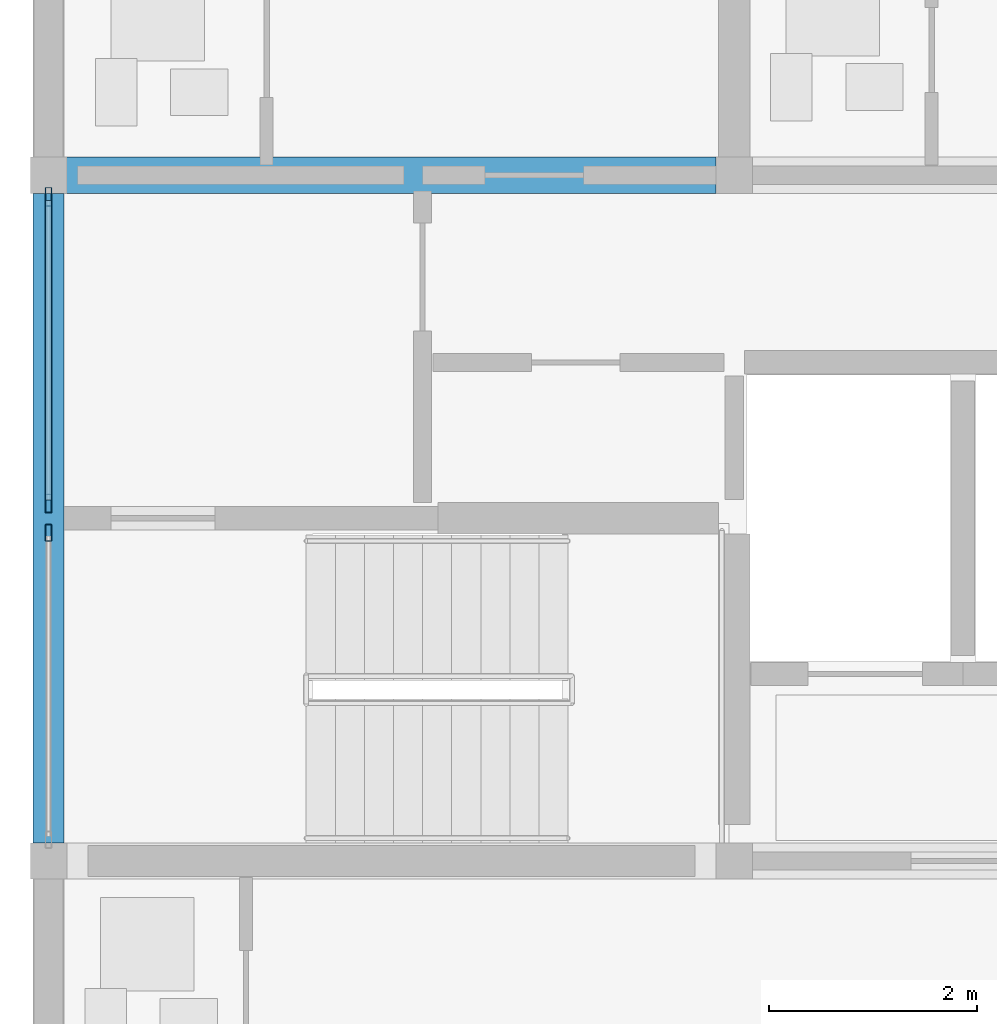
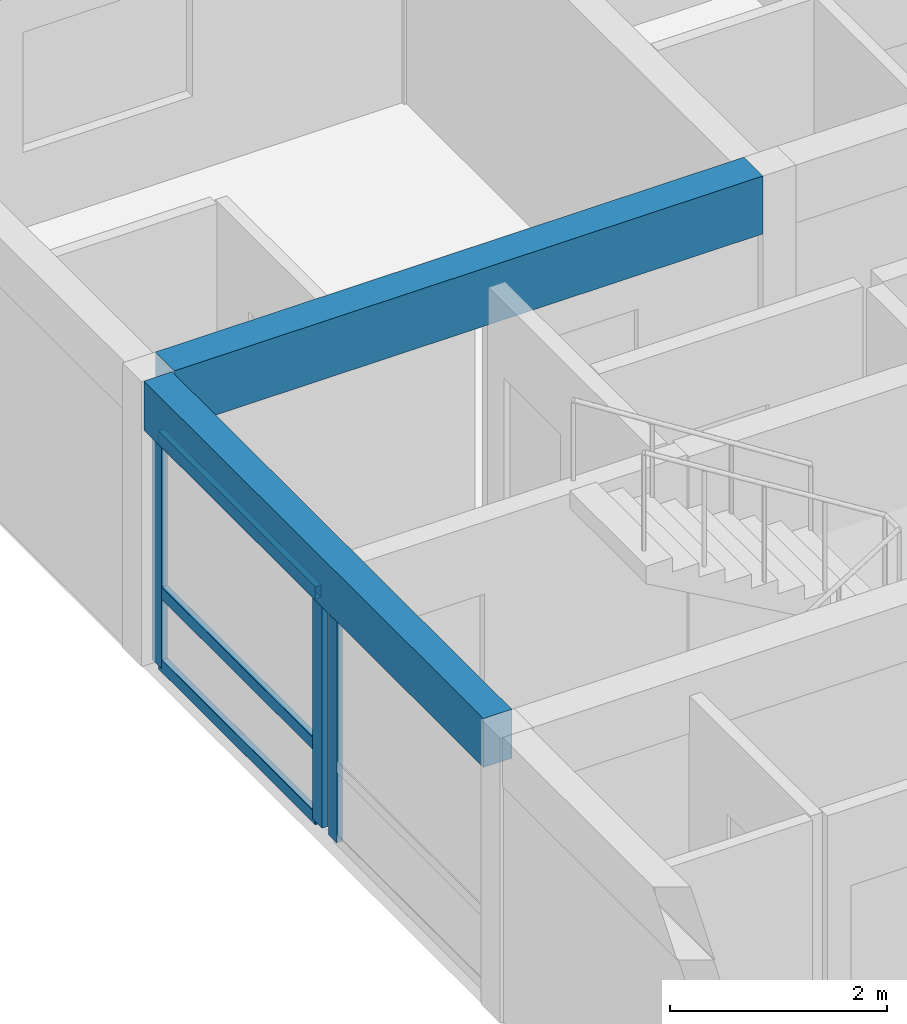
# One storey, part 6 of 46: 6 members, 2 beams, 2 elements without a shape of their own.
"""IFC4 building model written with IfcOpenShell, lengths in metres."""

from ifc_helpers import new_model, si_unit, direction, frame, origin, origin_2d, place, context, subcontext, project, spatial, rectangle, hollow_rectangle, extrude, material, material_profile, profile_set, type_object, element, aggregate, save


model = new_model("IFC4")

# Units and contexts
model_context = context("Model", 3, precision=1e-05, world=origin(), true_north=direction((0.0, 1.0)))
body_context = subcontext(model_context, "Body", "Model", "MODEL_VIEW")
ifc_project = project(units=[si_unit("LENGTHUNIT", "METRE"), si_unit("AREAUNIT", "SQUARE_METRE"), si_unit("VOLUMEUNIT", "CUBIC_METRE"), si_unit("PLANEANGLEUNIT", "RADIAN"), si_unit("MASSUNIT", "GRAM", prefix="KILO")], contexts=[model_context])

# Site, building, storey
site_placement = place(None, origin())
site = spatial("IfcSite", under=ifc_project, at=site_placement, CompositionType="ELEMENT")
building_placement = place(site_placement, origin())
building = spatial("IfcBuilding", under=site, at=building_placement, Name="Kernevlak Ridge Housing Community", CompositionType="ELEMENT")
storey_placement = place(building_placement, frame((0.0, 0.0, 27.60009765625)))
storey = spatial("IfcBuildingStorey", under=building, at=storey_placement, Name="L08", CompositionType="ELEMENT", Elevation=27.60009765625)

# Beam
ifc_material_1 = material(Name="Concrete C35/45", Category="concrete")
ifc_material_profile_1 = material_profile(ifc_material_1, rectangle(XDim=0.35009765625, YDim=0.64990234375, at=origin_2d()), Name="RC 350x650")
ifc_profile_set_1 = profile_set([ifc_material_profile_1], Name="Concrete C35/45")
beam_type_1 = type_object("IfcBeamType", Name="B-02", PredefinedType="BEAM", material=ifc_profile_set_1)
beam_1_placement = place(storey_placement, frame((15.77490234375, 28.800048828125, 2.875), z_axis=(1.0, 0.0, 0.0), x_axis=(0.0, 1.0, 0.0)))
element("IfcBeam", 1, at=beam_1_placement, inside=storey, type_object=beam_type_1, Name="Beam B-02 L08 1504", PredefinedType="BEAM", context=body_context, shape_type="SweptSolid", body=[
    extrude(rectangle(XDim=0.35009765625, YDim=0.64990234375, at=origin_2d()), origin(), (0.0, 0.0, 1.0), 6.25),
])

# Curtain wall, member
ifc_material_2 = material(Name="Aluminium EN AW-6060 anodised and laminated glass", Category="aluminium")
curtain_wall_type_1 = type_object("IfcCurtainWallType", Name="CW-10", PredefinedType="NOTDEFINED", material=ifc_material_2)
curtain_wall_1_placement = place(storey_placement, origin())
curtain_wall_1 = element("IfcCurtainWall", 2, at=curtain_wall_1_placement, inside=storey, type_object=curtain_wall_type_1, Name="Curtain wall CW-10 CW-L08-163", PredefinedType="NOTDEFINED")
ifc_material_3 = material(Name="Aluminium EN AW-6060 anodised", Category="aluminium")
ifc_material_profile_2 = material_profile(ifc_material_3, hollow_rectangle(XDim=0.06005859375, YDim=0.159912109375, WallThickness=0.00390625, InnerFilletRadius=0.001953125, OuterFilletRadius=0.00390625, at=origin_2d()), Name="ALU 60x160x4")
ifc_profile_set_2 = profile_set([ifc_material_profile_2], Name="Aluminium EN AW-6060 anodised")
member_type_1 = type_object("IfcMemberType", Name="MU-02", PredefinedType="MULLION", material=ifc_profile_set_2)
member_1_placement = place(storey_placement, frame((15.60009765625, 25.360107421875, 0.0), z_axis=(0.0, 0.0, 1.0), x_axis=(-1.0, 0.0, 0.0)))
member_1 = element("IfcMember", 3, at=member_1_placement, type_object=member_type_1, Name="CW-10 mullion 2", PredefinedType="MULLION", context=body_context, shape_type="SweptSolid", body=[
    extrude(hollow_rectangle(XDim=0.06005859375, YDim=0.159912109375, WallThickness=0.00390625, InnerFilletRadius=0.001953125, OuterFilletRadius=0.00390625, at=origin_2d()), origin(), (0.0, 0.0, 1.0), 2.599853515625),
])
aggregate(curtain_wall_1, [member_1])

# Curtain wall, members
curtain_wall_type_2 = type_object("IfcCurtainWallType", Name="CW-01", PredefinedType="NOTDEFINED", material=ifc_material_2)
curtain_wall_2_placement = place(storey_placement, origin())
curtain_wall_2 = element("IfcCurtainWall", 4, at=curtain_wall_2_placement, inside=storey, type_object=curtain_wall_type_2, Name="Curtain wall CW-01 CW-L08-164", PredefinedType="NOTDEFINED")
ifc_material_profile_3 = material_profile(ifc_material_3, hollow_rectangle(XDim=0.06494140625, YDim=0.179931640625, WallThickness=0.00439453125, InnerFilletRadius=0.001953125, OuterFilletRadius=0.00439453125, at=origin_2d()), Name="ALU 65x180x4.5")
ifc_profile_set_3 = profile_set([ifc_material_profile_3], Name="Aluminium EN AW-6060 anodised")
member_type_2 = type_object("IfcMemberType", Name="MU-03", PredefinedType="MULLION", material=ifc_profile_set_3)
member_2_placement = place(storey_placement, frame((15.60009765625, 25.642578125, 0.0), z_axis=(0.0, 0.0, 1.0), x_axis=(-1.0, 0.0, 0.0)))
member_2 = element("IfcMember", 5, at=member_2_placement, type_object=member_type_2, Name="CW-01 mullion 1", PredefinedType="MULLION", context=body_context, shape_type="SweptSolid", body=[
    extrude(hollow_rectangle(XDim=0.06494140625, YDim=0.179931640625, WallThickness=0.00439453125, InnerFilletRadius=0.001953125, OuterFilletRadius=0.00439453125, at=origin_2d()), origin(), (0.0, 0.0, 1.0), 2.599853515625),
])
member_3_placement = place(storey_placement, frame((15.60009765625, 28.592529296875, 0.0), z_axis=(0.0, 0.0, 1.0), x_axis=(-1.0, 0.0, 0.0)))
member_3 = element("IfcMember", 6, at=member_3_placement, type_object=member_type_2, Name="CW-01 mullion 2", PredefinedType="MULLION", context=body_context, shape_type="SweptSolid", body=[
    extrude(hollow_rectangle(XDim=0.06494140625, YDim=0.179931640625, WallThickness=0.00439453125, InnerFilletRadius=0.001953125, OuterFilletRadius=0.00439453125, at=origin_2d()), origin(), (0.0, 0.0, 1.0), 2.599853515625),
])

# Beam
ifc_material_profile_4 = material_profile(ifc_material_1, rectangle(XDim=0.300048828125, YDim=0.550048828125, at=origin_2d()), Name="RC 300x550")
ifc_profile_set_4 = profile_set([ifc_material_profile_4], Name="Concrete C35/45")
beam_type_2 = type_object("IfcBeamType", Name="SP-01", PredefinedType="SPANDREL", material=ifc_profile_set_4)
beam_2_placement = place(storey_placement, frame((15.60009765625, 22.375, 2.9248046875), z_axis=(0.0, 1.0, 0.0), x_axis=(-1.0, 0.0, 0.0)))
element("IfcBeam", 7, at=beam_2_placement, inside=storey, type_object=beam_type_2, Name="Beam SP-01 L08 1511", PredefinedType="SPANDREL", context=body_context, shape_type="SweptSolid", body=[
    extrude(rectangle(XDim=0.300048828125, YDim=0.550048828125, at=origin_2d()), origin(), (0.0, 0.0, 1.0), 6.25),
])

# Member
ifc_material_profile_5 = material_profile(ifc_material_3, hollow_rectangle(XDim=0.06494140625, YDim=0.139892578125, WallThickness=0.00390625, InnerFilletRadius=0.001953125, OuterFilletRadius=0.00390625, at=origin_2d()), Name="ALU 65x140x4")
ifc_profile_set_5 = profile_set([ifc_material_profile_5], Name="Aluminium EN AW-6060 anodised")
member_type_3 = type_object("IfcMemberType", Name="TM-03", PredefinedType="USERDEFINED", material=ifc_profile_set_5)
member_4_placement = place(storey_placement, frame((15.60009765625, 25.675048828125, 0.032470703125), z_axis=(0.0, 1.0, 0.0), x_axis=(-1.0, 0.0, 0.0)))
member_4 = element("IfcMember", 8, at=member_4_placement, type_object=member_type_3, Name="CW-01 transom 1.1", ObjectType="TRANSOM", PredefinedType="USERDEFINED", context=body_context, shape_type="SweptSolid", body=[
    extrude(hollow_rectangle(XDim=0.06494140625, YDim=0.139892578125, WallThickness=0.00390625, InnerFilletRadius=0.001953125, OuterFilletRadius=0.00390625, at=origin_2d()), origin(), (0.0, 0.0, 1.0), 2.885009765625),
])

member_5_placement = place(storey_placement, frame((15.60009765625, 25.675048828125, 0.849853515625), z_axis=(0.0, 1.0, 0.0), x_axis=(-1.0, 0.0, 0.0)))
member_5 = element("IfcMember", 9, at=member_5_placement, type_object=member_type_3, Name="CW-01 transom 1.2", ObjectType="TRANSOM", PredefinedType="USERDEFINED", context=body_context, shape_type="SweptSolid", body=[
    extrude(hollow_rectangle(XDim=0.06494140625, YDim=0.139892578125, WallThickness=0.00390625, InnerFilletRadius=0.001953125, OuterFilletRadius=0.00390625, at=origin_2d()), origin(), (0.0, 0.0, 1.0), 2.885009765625),
])

member_6_placement = place(storey_placement, frame((15.60009765625, 25.675048828125, 2.5673828125), z_axis=(0.0, 1.0, 0.0), x_axis=(-1.0, 0.0, 0.0)))
member_6 = element("IfcMember", 10, at=member_6_placement, type_object=member_type_3, Name="CW-01 transom 1.3", ObjectType="TRANSOM", PredefinedType="USERDEFINED", context=body_context, shape_type="SweptSolid", body=[
    extrude(hollow_rectangle(XDim=0.06494140625, YDim=0.139892578125, WallThickness=0.00390625, InnerFilletRadius=0.001953125, OuterFilletRadius=0.00390625, at=origin_2d()), origin(), (0.0, 0.0, 1.0), 2.885009765625),
])

aggregate(curtain_wall_2, [member_2, member_3, member_4, member_5, member_6])

save(model, "model.ifc")
